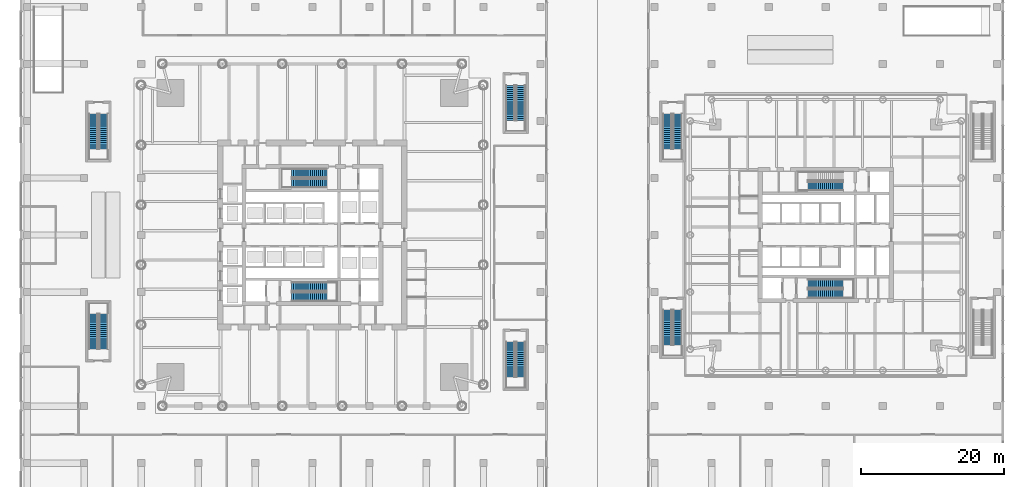
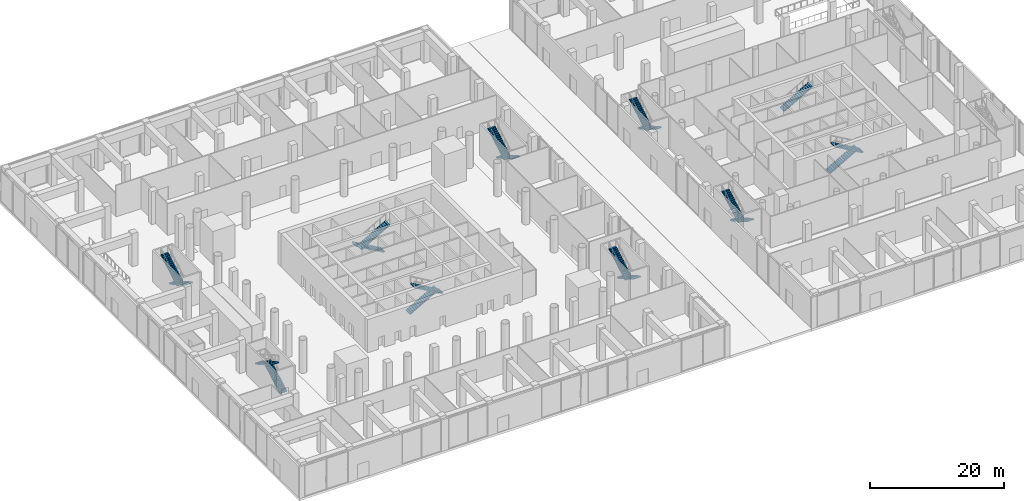
# One storey, part 34 of 39: 19 stair flights, 10 elements without a shape of their own.
"""IFC4 building model written with IfcOpenShell, lengths in metres."""

import ifcopenshell
import ifcopenshell.guid

model = None  # the IFC model being written
_history = None  # IfcOwnerHistory: only IFC2X3 demands one
_inside = {}  # id of a spatial element -> (the spatial element, [elements in it])
_under = {}  # id of a project, library or spatial element -> (it, [spatial elements below it])
_declared = {}  # id of a project -> (the project, [libraries it declares])
_typed = {}  # id of a type object -> (the type object, [elements of that type])
_made_of = {}  # id of a material, layer set ... -> (it, [elements and type objects made of it])


def new_model(schema):
    """Start an empty IFC model of exactly this schema.

    Asked for "IFC4X3", IfcOpenShell would pick the latest addendum, in which some entities
    have other attributes; the version numbers below select the first issue.
    IFC2X3 requires an IfcOwnerHistory on every rooted entity: one is made here for all.
    """
    global model, _history
    if schema == "IFC4X3":
        model = ifcopenshell.file(schema_version=(4, 3, 0, 0))
    else:
        model = ifcopenshell.file(schema=schema)
    _inside.clear()
    _under.clear()
    _declared.clear()
    _typed.clear()
    _made_of.clear()
    _history = None
    if model.schema == "IFC2X3":
        org = make("IfcOrganization", Name="unknown")
        user = make(
            "IfcPersonAndOrganization",
            ThePerson=make("IfcPerson", FamilyName="unknown"),
            TheOrganization=org,
        )
        app = make(
            "IfcApplication",
            ApplicationDeveloper=org,
            Version="unknown",
            ApplicationFullName="unknown",
            ApplicationIdentifier="unknown",
        )
        _history = make(
            "IfcOwnerHistory",
            OwningUser=user,
            OwningApplication=app,
            ChangeAction="ADDED",
            CreationDate=0,
        )
    return model


def make(cls, **values):
    """One entity of the class cls with the attributes given. An attribute that is None is left unset."""
    return model.create_entity(
        cls, **{name: value for name, value in values.items() if value is not None}
    )


def rooted(cls, **values):
    """An entity with a GlobalId (a new one), such as an element, a storey or a relation."""
    return make(cls, GlobalId=ifcopenshell.guid.new(), OwnerHistory=_history, **values)


def si_unit(unit_type, name, prefix=None):
    """IfcSIUnit, for example si_unit("LENGTHUNIT", "METRE", prefix="MILLI")."""
    return make("IfcSIUnit", UnitType=unit_type, Prefix=prefix, Name=name)


def assignment(units):
    """IfcUnitAssignment: the units of a project."""
    return None if units is None else make("IfcUnitAssignment", Units=units)


def point(xyz):
    """IfcCartesianPoint."""
    return None if xyz is None else make("IfcCartesianPoint", Coordinates=xyz)


def direction(xyz):
    """IfcDirection."""
    return None if xyz is None else make("IfcDirection", DirectionRatios=xyz)


def frame(location, z_axis=None, x_axis=None):
    """IfcAxis2Placement3D, a coordinate frame: its origin and axes. An axis left out is left unset."""
    return make(
        "IfcAxis2Placement3D",
        Location=point(location),
        Axis=direction(z_axis),
        RefDirection=direction(x_axis),
    )


def origin():
    """The frame at (0, 0, 0) with its axes left unset."""
    return frame((0.0, 0.0, 0.0))


def place(relative_to, where):
    """IfcLocalPlacement: puts the frame where relative to a parent placement (None: the world)."""
    return make(
        "IfcLocalPlacement", PlacementRelTo=relative_to, RelativePlacement=where
    )


def context(
    kind, dimensions, precision=None, world=None, true_north=None, identifier=None
):
    """IfcGeometricRepresentationContext, for example the 3D "Model" context."""
    return make(
        "IfcGeometricRepresentationContext",
        ContextIdentifier=identifier,
        ContextType=kind,
        CoordinateSpaceDimension=dimensions,
        Precision=precision,
        WorldCoordinateSystem=world,
        TrueNorth=true_north,
    )


def subcontext(parent, identifier, kind, view, scale=None):
    """IfcGeometricRepresentationSubContext, for example "Body" below "Model"."""
    return make(
        "IfcGeometricRepresentationSubContext",
        ContextIdentifier=identifier,
        ContextType=kind,
        ParentContext=parent,
        TargetScale=scale,
        TargetView=view,
    )


def project(units=None, contexts=None):
    """IfcProject with its units and contexts."""
    return rooted(
        "IfcProject",
        Name="project",
        RepresentationContexts=contexts,
        UnitsInContext=assignment(units),
    )


def spatial(cls, under=None, at=None, **own):
    """A site, building, storey or space (cls), placed at a placement, below another one or the project."""
    s = rooted(cls, ObjectPlacement=at, **own)
    if under is not None:
        _under.setdefault(under.id(), (under, []))[1].append(s)
    return s


def polyline(points):
    """IfcPolyline through the points."""
    return make("IfcPolyline", Points=[point(p) for p in points])


def outline(outer, holes=None, kind="AREA"):
    """IfcArbitraryClosedProfileDef: a profile drawn as a closed curve; with holes, ...WithVoids."""
    if holes is None:
        return make("IfcArbitraryClosedProfileDef", ProfileType=kind, OuterCurve=outer)
    return make(
        "IfcArbitraryProfileDefWithVoids",
        ProfileType=kind,
        OuterCurve=outer,
        InnerCurves=holes,
    )


def extrude(swept, where, along, depth):
    """IfcExtrudedAreaSolid: the profile swept, set in the frame where, extruded along a direction by depth."""
    return make(
        "IfcExtrudedAreaSolid",
        SweptArea=swept,
        Position=where,
        ExtrudedDirection=direction(along),
        Depth=depth,
    )


def shape(context_of_items, identifier, shape_type, items):
    """IfcShapeRepresentation: the items that make up one representation, for example the "Body"."""
    return make(
        "IfcShapeRepresentation",
        ContextOfItems=context_of_items,
        RepresentationIdentifier=identifier,
        RepresentationType=shape_type,
        Items=items,
    )


def material(Name=None, Category=None):
    """IfcMaterial."""
    return make("IfcMaterial", Name=Name, Category=Category)


def made_of(thing, what):
    """Note that an element or type object is made of a material, layer set ...; save() writes the relation."""
    if what is not None:
        _made_of.setdefault(what.id(), (what, []))[1].append(thing)
    return thing


def type_object(cls, material=None, **own):
    """A type object (cls), such as IfcWallType, which elements share."""
    return made_of(rooted(cls, **own), material)


def element(
    cls,
    number,
    at=None,
    inside=None,
    cuts=None,
    type_object=None,
    material=None,
    context=None,
    identifier="Body",
    shape_type=None,
    held_by="IfcProductDefinitionShape",
    body=None,
    shapes=None,
    **own,
):
    """One element of the class cls, such as IfcWall. Its Tag is "e" and its number.

    at: its placement. inside: the storey or other place that contains it. cuts: it is an
    opening in that element (IfcRelVoidsElement). A single representation is given by context,
    identifier, shape_type and body (its items); several are given by shapes. held_by: the class
    of the entity that holds the representations. save() writes the other relations.
    """
    e = rooted(cls, Tag="e%d" % number, ObjectPlacement=at, **own)
    if body is not None:
        shapes = [shape(context, identifier, shape_type, body)]
    if shapes is not None:
        e.Representation = make(held_by, Representations=shapes)
    if inside is not None:
        _inside.setdefault(inside.id(), (inside, []))[1].append(e)
    if cuts is not None:
        rooted(
            "IfcRelVoidsElement", RelatingBuildingElement=cuts, RelatedOpeningElement=e
        )
    if type_object is not None:
        _typed.setdefault(type_object.id(), (type_object, []))[1].append(e)
    return made_of(e, material)


def aggregate(whole, parts):
    """IfcRelAggregates: a whole, such as a stair, and the parts it consists of."""
    return rooted("IfcRelAggregates", RelatingObject=whole, RelatedObjects=parts)


def save(model, path):
    """Write the relations noted so far, then the file.

    IfcRelAggregates (storeys below a building ...), IfcRelContainedInSpatialStructure (elements
    in a storey), IfcRelDefinesByType, IfcRelAssociatesMaterial and IfcRelDeclares: one each for
    every whole, place, type object, material and project.
    """
    for whole, parts in _under.values():
        aggregate(whole, parts)
    for where, things in _inside.values():
        rooted(
            "IfcRelContainedInSpatialStructure",
            RelatedElements=things,
            RelatingStructure=where,
        )
    for kind, things in _typed.values():
        rooted("IfcRelDefinesByType", RelatedObjects=things, RelatingType=kind)
    for what, things in _made_of.values():
        rooted("IfcRelAssociatesMaterial", RelatedObjects=things, RelatingMaterial=what)
    for by, libraries in _declared.values():
        rooted("IfcRelDeclares", RelatingContext=by, RelatedDefinitions=libraries)
    model.write(path)


model = new_model("IFC4")

# Units and contexts
model_context = context("Model", 3, precision=1e-05, world=origin(), true_north=direction((0.0, 1.0)))
body_context = subcontext(model_context, "Body", "Model", "MODEL_VIEW")
ifc_project = project(units=[si_unit("LENGTHUNIT", "METRE"), si_unit("AREAUNIT", "SQUARE_METRE"), si_unit("VOLUMEUNIT", "CUBIC_METRE"), si_unit("PLANEANGLEUNIT", "RADIAN"), si_unit("MASSUNIT", "GRAM", prefix="KILO")], contexts=[model_context])

# Site, building, storey
site_placement = place(None, origin())
site = spatial("IfcSite", under=ifc_project, at=site_placement, CompositionType="ELEMENT")
building_placement = place(site_placement, origin())
building = spatial("IfcBuilding", under=site, at=building_placement, Name="Ostroluk Exchange", CompositionType="ELEMENT")
storey_placement = place(building_placement, origin())
storey = spatial("IfcBuildingStorey", under=building, at=storey_placement, Name="L00", CompositionType="ELEMENT", Elevation=0.0)

# Stair, stair flights
ifc_material_1 = material(Name="Concrete C30/37", Category="concrete")
stair_type = type_object("IfcStairType", Name="Exit stair half turn 6000", PredefinedType="HALF_TURN_STAIR", material=ifc_material_1)
stair_1_placement = place(storey_placement, origin())
stair_1 = element("IfcStair", 1, at=stair_1_placement, inside=storey, type_object=stair_type, Name="Stair T1-S1 L00", PredefinedType="HALF_TURN_STAIR")
ifc_material_2 = material(Name="Concrete C30/37", Category="concrete")
stair_flight_type = type_object("IfcStairFlightType", Name="Stair flight 18 risers 166.7 x 290", PredefinedType="STRAIGHT", material=ifc_material_2)
stair_flight_1_placement = place(storey_placement, frame((42.10009765625, 38.77490234375, 0.0), z_axis=(0.0, 0.0, 1.0), x_axis=(1.0, 0.0, 0.0)))
stair_flight_1 = element("IfcStairFlight", 2, at=stair_flight_1_placement, type_object=stair_flight_type, Name="T1-S1 flight 1", NumberOfRisers=18, NumberOfTreads=17, PredefinedType="STRAIGHT", RiserHeight=0.166666667, TreadLength=0.29, context=body_context, shape_type="SweptSolid", body=[
    extrude(outline(polyline([(0.0, 0.0), (0.0, 0.166748046875), (0.2900390625, 0.166748046875), (0.2900390625, 0.333251953125), (0.580078125, 0.333251953125), (0.580078125, 0.5), (0.8701171875, 0.5), (0.8701171875, 0.666748046875), (1.159912109375, 0.666748046875), (1.159912109375, 0.833251953125), (1.449951171875, 0.833251953125), (1.449951171875, 1.0), (1.739990234375, 1.0), (1.739990234375, 1.166748046875), (2.030029296875, 1.166748046875), (2.030029296875, 1.333251953125), (2.320068359375, 1.333251953125), (2.320068359375, 1.5), (2.610107421875, 1.5), (2.610107421875, 1.666748046875), (2.89990234375, 1.666748046875), (2.89990234375, 1.833251953125), (3.18994140625, 1.833251953125), (3.18994140625, 2.0), (3.47998046875, 2.0), (3.47998046875, 2.166748046875), (3.77001953125, 2.166748046875), (3.77001953125, 2.333251953125), (4.06005859375, 2.333251953125), (4.06005859375, 2.5), (4.35009765625, 2.5), (4.35009765625, 2.666748046875), (4.639892578125, 2.666748046875), (4.639892578125, 2.833251953125), (4.929931640625, 2.833251953125), (4.929931640625, 3.0), (4.929931640625, 2.660400390625), (0.30078125, 0.0), (0.0, 0.0)])), frame((0.0, 0.625, 0.0), z_axis=(0.0, -1.0, 0.0), x_axis=(1.0, 0.0, 0.0)), (0.0, 0.0, 1.0), 1.25),
])
stair_flight_2_placement = place(storey_placement, frame((47.030029296875, 37.324951171875, 3.0), z_axis=(0.0, 0.0, 1.0), x_axis=(-1.0, 0.0, 0.0)))
stair_flight_2 = element("IfcStairFlight", 3, at=stair_flight_2_placement, type_object=stair_flight_type, Name="T1-S1 flight 2", NumberOfRisers=18, NumberOfTreads=17, PredefinedType="STRAIGHT", RiserHeight=0.166666667, TreadLength=0.29, context=body_context, shape_type="SweptSolid", body=[
    extrude(outline(polyline([(0.0, 0.0), (0.0, 0.166748046875), (0.2900390625, 0.166748046875), (0.2900390625, 0.333251953125), (0.580078125, 0.333251953125), (0.580078125, 0.5), (0.8701171875, 0.5), (0.8701171875, 0.666748046875), (1.159912109375, 0.666748046875), (1.159912109375, 0.833251953125), (1.449951171875, 0.833251953125), (1.449951171875, 1.0), (1.739990234375, 1.0), (1.739990234375, 1.166748046875), (2.030029296875, 1.166748046875), (2.030029296875, 1.333251953125), (2.320068359375, 1.333251953125), (2.320068359375, 1.5), (2.610107421875, 1.5), (2.610107421875, 1.666748046875), (2.89990234375, 1.666748046875), (2.89990234375, 1.833251953125), (3.18994140625, 1.833251953125), (3.18994140625, 2.0), (3.47998046875, 2.0), (3.47998046875, 2.166748046875), (3.77001953125, 2.166748046875), (3.77001953125, 2.333251953125), (4.06005859375, 2.333251953125), (4.06005859375, 2.5), (4.35009765625, 2.5), (4.35009765625, 2.666748046875), (4.639892578125, 2.666748046875), (4.639892578125, 2.833251953125), (4.929931640625, 2.833251953125), (4.929931640625, 3.0), (4.929931640625, 2.660400390625), (0.30078125, 0.0), (0.0, 0.0)])), frame((0.0, 0.625, 0.0), z_axis=(0.0, -1.0, 0.0), x_axis=(1.0, 0.0, 0.0)), (0.0, 0.0, 1.0), 1.25),
])
aggregate(stair_1, [stair_flight_1, stair_flight_2])

stair_2_placement = place(storey_placement, origin())
stair_2 = element("IfcStair", 4, at=stair_2_placement, inside=storey, type_object=stair_type, Name="Stair T1-S2 L00", PredefinedType="HALF_TURN_STAIR")
stair_flight_3_placement = place(storey_placement, frame((47.030029296875, 54.675048828125, 0.0), z_axis=(0.0, 0.0, 1.0), x_axis=(-1.0, 0.0, 0.0)))
stair_flight_3 = element("IfcStairFlight", 5, at=stair_flight_3_placement, type_object=stair_flight_type, Name="T1-S2 flight 1", NumberOfRisers=18, NumberOfTreads=17, PredefinedType="STRAIGHT", RiserHeight=0.166666667, TreadLength=0.29, context=body_context, shape_type="SweptSolid", body=[
    extrude(outline(polyline([(0.0, 0.0), (0.0, 0.166748046875), (0.2900390625, 0.166748046875), (0.2900390625, 0.333251953125), (0.580078125, 0.333251953125), (0.580078125, 0.5), (0.8701171875, 0.5), (0.8701171875, 0.666748046875), (1.159912109375, 0.666748046875), (1.159912109375, 0.833251953125), (1.449951171875, 0.833251953125), (1.449951171875, 1.0), (1.739990234375, 1.0), (1.739990234375, 1.166748046875), (2.030029296875, 1.166748046875), (2.030029296875, 1.333251953125), (2.320068359375, 1.333251953125), (2.320068359375, 1.5), (2.610107421875, 1.5), (2.610107421875, 1.666748046875), (2.89990234375, 1.666748046875), (2.89990234375, 1.833251953125), (3.18994140625, 1.833251953125), (3.18994140625, 2.0), (3.47998046875, 2.0), (3.47998046875, 2.166748046875), (3.77001953125, 2.166748046875), (3.77001953125, 2.333251953125), (4.06005859375, 2.333251953125), (4.06005859375, 2.5), (4.35009765625, 2.5), (4.35009765625, 2.666748046875), (4.639892578125, 2.666748046875), (4.639892578125, 2.833251953125), (4.929931640625, 2.833251953125), (4.929931640625, 3.0), (4.929931640625, 2.660400390625), (0.30078125, 0.0), (0.0, 0.0)])), frame((0.0, 0.625, 0.0), z_axis=(0.0, -1.0, 0.0), x_axis=(1.0, 0.0, 0.0)), (0.0, 0.0, 1.0), 1.25),
])
stair_flight_4_placement = place(storey_placement, frame((42.10009765625, 53.22509765625, 3.0), z_axis=(0.0, 0.0, 1.0), x_axis=(1.0, 0.0, 0.0)))
stair_flight_4 = element("IfcStairFlight", 6, at=stair_flight_4_placement, type_object=stair_flight_type, Name="T1-S2 flight 2", NumberOfRisers=18, NumberOfTreads=17, PredefinedType="STRAIGHT", RiserHeight=0.166666667, TreadLength=0.29, context=body_context, shape_type="SweptSolid", body=[
    extrude(outline(polyline([(0.0, 0.0), (0.0, 0.166748046875), (0.2900390625, 0.166748046875), (0.2900390625, 0.333251953125), (0.580078125, 0.333251953125), (0.580078125, 0.5), (0.8701171875, 0.5), (0.8701171875, 0.666748046875), (1.159912109375, 0.666748046875), (1.159912109375, 0.833251953125), (1.449951171875, 0.833251953125), (1.449951171875, 1.0), (1.739990234375, 1.0), (1.739990234375, 1.166748046875), (2.030029296875, 1.166748046875), (2.030029296875, 1.333251953125), (2.320068359375, 1.333251953125), (2.320068359375, 1.5), (2.610107421875, 1.5), (2.610107421875, 1.666748046875), (2.89990234375, 1.666748046875), (2.89990234375, 1.833251953125), (3.18994140625, 1.833251953125), (3.18994140625, 2.0), (3.47998046875, 2.0), (3.47998046875, 2.166748046875), (3.77001953125, 2.166748046875), (3.77001953125, 2.333251953125), (4.06005859375, 2.333251953125), (4.06005859375, 2.5), (4.35009765625, 2.5), (4.35009765625, 2.666748046875), (4.639892578125, 2.666748046875), (4.639892578125, 2.833251953125), (4.929931640625, 2.833251953125), (4.929931640625, 3.0), (4.929931640625, 2.660400390625), (0.30078125, 0.0), (0.0, 0.0)])), frame((0.0, 0.625, 0.0), z_axis=(0.0, -1.0, 0.0), x_axis=(1.0, 0.0, 0.0)), (0.0, 0.0, 1.0), 1.25),
])
aggregate(stair_2, [stair_flight_3, stair_flight_4])

stair_3_placement = place(storey_placement, origin())
stair_3 = element("IfcStair", 7, at=stair_3_placement, inside=storey, type_object=stair_type, Name="Stair T2-S1 L00", PredefinedType="HALF_TURN_STAIR")
stair_flight_5_placement = place(storey_placement, frame((114.5, 39.175048828125, 0.0), z_axis=(0.0, 0.0, 1.0), x_axis=(1.0, 0.0, 0.0)))
stair_flight_5 = element("IfcStairFlight", 8, at=stair_flight_5_placement, type_object=stair_flight_type, Name="T2-S1 flight 1", NumberOfRisers=18, NumberOfTreads=17, PredefinedType="STRAIGHT", RiserHeight=0.166666667, TreadLength=0.29, context=body_context, shape_type="SweptSolid", body=[
    extrude(outline(polyline([(0.0, 0.0), (0.0, 0.166748046875), (0.2900390625, 0.166748046875), (0.2900390625, 0.333251953125), (0.580078125, 0.333251953125), (0.580078125, 0.5), (0.8701171875, 0.5), (0.8701171875, 0.666748046875), (1.159912109375, 0.666748046875), (1.159912109375, 0.833251953125), (1.449951171875, 0.833251953125), (1.449951171875, 1.0), (1.739990234375, 1.0), (1.739990234375, 1.166748046875), (2.030029296875, 1.166748046875), (2.030029296875, 1.333251953125), (2.320068359375, 1.333251953125), (2.320068359375, 1.5), (2.610107421875, 1.5), (2.610107421875, 1.666748046875), (2.89990234375, 1.666748046875), (2.89990234375, 1.833251953125), (3.18994140625, 1.833251953125), (3.18994140625, 2.0), (3.47998046875, 2.0), (3.47998046875, 2.166748046875), (3.77001953125, 2.166748046875), (3.77001953125, 2.333251953125), (4.06005859375, 2.333251953125), (4.06005859375, 2.5), (4.35009765625, 2.5), (4.35009765625, 2.666748046875), (4.639892578125, 2.666748046875), (4.639892578125, 2.833251953125), (4.929931640625, 2.833251953125), (4.929931640625, 3.0), (4.929931640625, 2.660400390625), (0.30078125, 0.0), (0.0, 0.0)])), frame((0.0, 0.625, 0.0), z_axis=(0.0, -1.0, 0.0), x_axis=(1.0, 0.0, 0.0)), (0.0, 0.0, 1.0), 1.25),
])
stair_flight_6_placement = place(storey_placement, frame((119.429931640625, 37.72509765625, 3.0), z_axis=(0.0, 0.0, 1.0), x_axis=(-1.0, 0.0, 0.0)))
stair_flight_6 = element("IfcStairFlight", 9, at=stair_flight_6_placement, type_object=stair_flight_type, Name="T2-S1 flight 2", NumberOfRisers=18, NumberOfTreads=17, PredefinedType="STRAIGHT", RiserHeight=0.166666667, TreadLength=0.29, context=body_context, shape_type="SweptSolid", body=[
    extrude(outline(polyline([(0.0, 0.0), (0.0, 0.166748046875), (0.2900390625, 0.166748046875), (0.2900390625, 0.333251953125), (0.580078125, 0.333251953125), (0.580078125, 0.5), (0.8701171875, 0.5), (0.8701171875, 0.666748046875), (1.159912109375, 0.666748046875), (1.159912109375, 0.833251953125), (1.449951171875, 0.833251953125), (1.449951171875, 1.0), (1.739990234375, 1.0), (1.739990234375, 1.166748046875), (2.030029296875, 1.166748046875), (2.030029296875, 1.333251953125), (2.320068359375, 1.333251953125), (2.320068359375, 1.5), (2.610107421875, 1.5), (2.610107421875, 1.666748046875), (2.89990234375, 1.666748046875), (2.89990234375, 1.833251953125), (3.18994140625, 1.833251953125), (3.18994140625, 2.0), (3.47998046875, 2.0), (3.47998046875, 2.166748046875), (3.77001953125, 2.166748046875), (3.77001953125, 2.333251953125), (4.06005859375, 2.333251953125), (4.06005859375, 2.5), (4.35009765625, 2.5), (4.35009765625, 2.666748046875), (4.639892578125, 2.666748046875), (4.639892578125, 2.833251953125), (4.929931640625, 2.833251953125), (4.929931640625, 3.0), (4.929931640625, 2.660400390625), (0.30078125, 0.0), (0.0, 0.0)])), frame((0.0, 0.625, 0.0), z_axis=(0.0, -1.0, 0.0), x_axis=(1.0, 0.0, 0.0)), (0.0, 0.0, 1.0), 1.25),
])
aggregate(stair_3, [stair_flight_5, stair_flight_6])

# Stair, stair flight
stair_4_placement = place(storey_placement, origin())
stair_4 = element("IfcStair", 10, at=stair_4_placement, inside=storey, type_object=stair_type, Name="Stair T2-S2 L00", PredefinedType="HALF_TURN_STAIR")
stair_flight_7_placement = place(storey_placement, frame((114.5, 52.824951171875, 3.0), z_axis=(0.0, 0.0, 1.0), x_axis=(1.0, 0.0, 0.0)))
stair_flight_7 = element("IfcStairFlight", 11, at=stair_flight_7_placement, type_object=stair_flight_type, Name="T2-S2 flight 2", NumberOfRisers=18, NumberOfTreads=17, PredefinedType="STRAIGHT", RiserHeight=0.166666667, TreadLength=0.29, context=body_context, shape_type="SweptSolid", body=[
    extrude(outline(polyline([(0.0, 0.0), (0.0, 0.166748046875), (0.2900390625, 0.166748046875), (0.2900390625, 0.333251953125), (0.580078125, 0.333251953125), (0.580078125, 0.5), (0.8701171875, 0.5), (0.8701171875, 0.666748046875), (1.159912109375, 0.666748046875), (1.159912109375, 0.833251953125), (1.449951171875, 0.833251953125), (1.449951171875, 1.0), (1.739990234375, 1.0), (1.739990234375, 1.166748046875), (2.030029296875, 1.166748046875), (2.030029296875, 1.333251953125), (2.320068359375, 1.333251953125), (2.320068359375, 1.5), (2.610107421875, 1.5), (2.610107421875, 1.666748046875), (2.89990234375, 1.666748046875), (2.89990234375, 1.833251953125), (3.18994140625, 1.833251953125), (3.18994140625, 2.0), (3.47998046875, 2.0), (3.47998046875, 2.166748046875), (3.77001953125, 2.166748046875), (3.77001953125, 2.333251953125), (4.06005859375, 2.333251953125), (4.06005859375, 2.5), (4.35009765625, 2.5), (4.35009765625, 2.666748046875), (4.639892578125, 2.666748046875), (4.639892578125, 2.833251953125), (4.929931640625, 2.833251953125), (4.929931640625, 3.0), (4.929931640625, 2.660400390625), (0.30078125, 0.0), (0.0, 0.0)])), frame((0.0, 0.625, 0.0), z_axis=(0.0, -1.0, 0.0), x_axis=(1.0, 0.0, 0.0)), (0.0, 0.0, 1.0), 1.25),
])
aggregate(stair_4, [stair_flight_7])

# Stair, stair flights
stair_5_placement = place(storey_placement, origin())
stair_5 = element("IfcStair", 12, at=stair_5_placement, inside=storey, type_object=stair_type, Name="Stair PS1 L00", PredefinedType="HALF_TURN_STAIR")
stair_flight_8_placement = place(storey_placement, frame((15.72509765625, 30.0, 0.0), z_axis=(0.0, 0.0, 1.0), x_axis=(0.0, 1.0, 0.0)))
stair_flight_8 = element("IfcStairFlight", 13, at=stair_flight_8_placement, type_object=stair_flight_type, Name="PS1 flight 1", NumberOfRisers=18, NumberOfTreads=17, PredefinedType="STRAIGHT", RiserHeight=0.166666667, TreadLength=0.29, context=body_context, shape_type="SweptSolid", body=[
    extrude(outline(polyline([(0.0, 0.0), (0.0, 0.166748046875), (0.2900390625, 0.166748046875), (0.2900390625, 0.333251953125), (0.580078125, 0.333251953125), (0.580078125, 0.5), (0.8701171875, 0.5), (0.8701171875, 0.666748046875), (1.159912109375, 0.666748046875), (1.159912109375, 0.833251953125), (1.449951171875, 0.833251953125), (1.449951171875, 1.0), (1.739990234375, 1.0), (1.739990234375, 1.166748046875), (2.030029296875, 1.166748046875), (2.030029296875, 1.333251953125), (2.320068359375, 1.333251953125), (2.320068359375, 1.5), (2.610107421875, 1.5), (2.610107421875, 1.666748046875), (2.89990234375, 1.666748046875), (2.89990234375, 1.833251953125), (3.18994140625, 1.833251953125), (3.18994140625, 2.0), (3.47998046875, 2.0), (3.47998046875, 2.166748046875), (3.77001953125, 2.166748046875), (3.77001953125, 2.333251953125), (4.06005859375, 2.333251953125), (4.06005859375, 2.5), (4.35009765625, 2.5), (4.35009765625, 2.666748046875), (4.639892578125, 2.666748046875), (4.639892578125, 2.833251953125), (4.929931640625, 2.833251953125), (4.929931640625, 3.0), (4.929931640625, 2.660400390625), (0.30078125, 0.0), (0.0, 0.0)])), frame((0.0, 0.625, 0.0), z_axis=(0.0, -1.0, 0.0), x_axis=(1.0, 0.0, 0.0)), (0.0, 0.0, 1.0), 1.25),
])
stair_flight_9_placement = place(storey_placement, frame((14.27490234375, 34.929931640625, 3.0), z_axis=(0.0, 0.0, 1.0), x_axis=(0.0, -1.0, 0.0)))
stair_flight_9 = element("IfcStairFlight", 14, at=stair_flight_9_placement, type_object=stair_flight_type, Name="PS1 flight 2", NumberOfRisers=18, NumberOfTreads=17, PredefinedType="STRAIGHT", RiserHeight=0.166666667, TreadLength=0.29, context=body_context, shape_type="SweptSolid", body=[
    extrude(outline(polyline([(0.0, 0.0), (0.0, 0.166748046875), (0.2900390625, 0.166748046875), (0.2900390625, 0.333251953125), (0.580078125, 0.333251953125), (0.580078125, 0.5), (0.8701171875, 0.5), (0.8701171875, 0.666748046875), (1.159912109375, 0.666748046875), (1.159912109375, 0.833251953125), (1.449951171875, 0.833251953125), (1.449951171875, 1.0), (1.739990234375, 1.0), (1.739990234375, 1.166748046875), (2.030029296875, 1.166748046875), (2.030029296875, 1.333251953125), (2.320068359375, 1.333251953125), (2.320068359375, 1.5), (2.610107421875, 1.5), (2.610107421875, 1.666748046875), (2.89990234375, 1.666748046875), (2.89990234375, 1.833251953125), (3.18994140625, 1.833251953125), (3.18994140625, 2.0), (3.47998046875, 2.0), (3.47998046875, 2.166748046875), (3.77001953125, 2.166748046875), (3.77001953125, 2.333251953125), (4.06005859375, 2.333251953125), (4.06005859375, 2.5), (4.35009765625, 2.5), (4.35009765625, 2.666748046875), (4.639892578125, 2.666748046875), (4.639892578125, 2.833251953125), (4.929931640625, 2.833251953125), (4.929931640625, 3.0), (4.929931640625, 2.660400390625), (0.30078125, 0.0), (0.0, 0.0)])), frame((0.0, 0.625, 0.0), z_axis=(0.0, -1.0, 0.0), x_axis=(1.0, 0.0, 0.0)), (0.0, 0.0, 1.0), 1.25),
])
aggregate(stair_5, [stair_flight_8, stair_flight_9])

stair_6_placement = place(storey_placement, origin())
stair_6 = element("IfcStair", 15, at=stair_6_placement, inside=storey, type_object=stair_type, Name="Stair PS2 L00", PredefinedType="HALF_TURN_STAIR")
stair_flight_10_placement = place(storey_placement, frame((15.72509765625, 63.0, 0.0), z_axis=(0.0, 0.0, 1.0), x_axis=(0.0, -1.0, 0.0)))
stair_flight_10 = element("IfcStairFlight", 16, at=stair_flight_10_placement, type_object=stair_flight_type, Name="PS2 flight 1", NumberOfRisers=18, NumberOfTreads=17, PredefinedType="STRAIGHT", RiserHeight=0.166666667, TreadLength=0.29, context=body_context, shape_type="SweptSolid", body=[
    extrude(outline(polyline([(0.0, 0.0), (0.0, 0.166748046875), (0.2900390625, 0.166748046875), (0.2900390625, 0.333251953125), (0.580078125, 0.333251953125), (0.580078125, 0.5), (0.8701171875, 0.5), (0.8701171875, 0.666748046875), (1.159912109375, 0.666748046875), (1.159912109375, 0.833251953125), (1.449951171875, 0.833251953125), (1.449951171875, 1.0), (1.739990234375, 1.0), (1.739990234375, 1.166748046875), (2.030029296875, 1.166748046875), (2.030029296875, 1.333251953125), (2.320068359375, 1.333251953125), (2.320068359375, 1.5), (2.610107421875, 1.5), (2.610107421875, 1.666748046875), (2.89990234375, 1.666748046875), (2.89990234375, 1.833251953125), (3.18994140625, 1.833251953125), (3.18994140625, 2.0), (3.47998046875, 2.0), (3.47998046875, 2.166748046875), (3.77001953125, 2.166748046875), (3.77001953125, 2.333251953125), (4.06005859375, 2.333251953125), (4.06005859375, 2.5), (4.35009765625, 2.5), (4.35009765625, 2.666748046875), (4.639892578125, 2.666748046875), (4.639892578125, 2.833251953125), (4.929931640625, 2.833251953125), (4.929931640625, 3.0), (4.929931640625, 2.660400390625), (0.30078125, 0.0), (0.0, 0.0)])), frame((0.0, 0.625, 0.0), z_axis=(0.0, -1.0, 0.0), x_axis=(1.0, 0.0, 0.0)), (0.0, 0.0, 1.0), 1.25),
])
stair_flight_11_placement = place(storey_placement, frame((14.27490234375, 58.070068359375, 3.0), z_axis=(0.0, 0.0, 1.0), x_axis=(0.0, 1.0, 0.0)))
stair_flight_11 = element("IfcStairFlight", 17, at=stair_flight_11_placement, type_object=stair_flight_type, Name="PS2 flight 2", NumberOfRisers=18, NumberOfTreads=17, PredefinedType="STRAIGHT", RiserHeight=0.166666667, TreadLength=0.29, context=body_context, shape_type="SweptSolid", body=[
    extrude(outline(polyline([(0.0, 0.0), (0.0, 0.166748046875), (0.2900390625, 0.166748046875), (0.2900390625, 0.333251953125), (0.580078125, 0.333251953125), (0.580078125, 0.5), (0.8701171875, 0.5), (0.8701171875, 0.666748046875), (1.159912109375, 0.666748046875), (1.159912109375, 0.833251953125), (1.449951171875, 0.833251953125), (1.449951171875, 1.0), (1.739990234375, 1.0), (1.739990234375, 1.166748046875), (2.030029296875, 1.166748046875), (2.030029296875, 1.333251953125), (2.320068359375, 1.333251953125), (2.320068359375, 1.5), (2.610107421875, 1.5), (2.610107421875, 1.666748046875), (2.89990234375, 1.666748046875), (2.89990234375, 1.833251953125), (3.18994140625, 1.833251953125), (3.18994140625, 2.0), (3.47998046875, 2.0), (3.47998046875, 2.166748046875), (3.77001953125, 2.166748046875), (3.77001953125, 2.333251953125), (4.06005859375, 2.333251953125), (4.06005859375, 2.5), (4.35009765625, 2.5), (4.35009765625, 2.666748046875), (4.639892578125, 2.666748046875), (4.639892578125, 2.833251953125), (4.929931640625, 2.833251953125), (4.929931640625, 3.0), (4.929931640625, 2.660400390625), (0.30078125, 0.0), (0.0, 0.0)])), frame((0.0, 0.625, 0.0), z_axis=(0.0, -1.0, 0.0), x_axis=(1.0, 0.0, 0.0)), (0.0, 0.0, 1.0), 1.25),
])
aggregate(stair_6, [stair_flight_10, stair_flight_11])

stair_7_placement = place(storey_placement, origin())
stair_7 = element("IfcStair", 18, at=stair_7_placement, inside=storey, type_object=stair_type, Name="Stair PS3 L00", PredefinedType="HALF_TURN_STAIR")
stair_flight_12_placement = place(storey_placement, frame((74.22509765625, 31.0, 0.0), z_axis=(0.0, 0.0, 1.0), x_axis=(0.0, -1.0, 0.0)))
stair_flight_12 = element("IfcStairFlight", 19, at=stair_flight_12_placement, type_object=stair_flight_type, Name="PS3 flight 1", NumberOfRisers=18, NumberOfTreads=17, PredefinedType="STRAIGHT", RiserHeight=0.166666667, TreadLength=0.29, context=body_context, shape_type="SweptSolid", body=[
    extrude(outline(polyline([(0.0, 0.0), (0.0, 0.166748046875), (0.2900390625, 0.166748046875), (0.2900390625, 0.333251953125), (0.580078125, 0.333251953125), (0.580078125, 0.5), (0.8701171875, 0.5), (0.8701171875, 0.666748046875), (1.159912109375, 0.666748046875), (1.159912109375, 0.833251953125), (1.449951171875, 0.833251953125), (1.449951171875, 1.0), (1.739990234375, 1.0), (1.739990234375, 1.166748046875), (2.030029296875, 1.166748046875), (2.030029296875, 1.333251953125), (2.320068359375, 1.333251953125), (2.320068359375, 1.5), (2.610107421875, 1.5), (2.610107421875, 1.666748046875), (2.89990234375, 1.666748046875), (2.89990234375, 1.833251953125), (3.18994140625, 1.833251953125), (3.18994140625, 2.0), (3.47998046875, 2.0), (3.47998046875, 2.166748046875), (3.77001953125, 2.166748046875), (3.77001953125, 2.333251953125), (4.06005859375, 2.333251953125), (4.06005859375, 2.5), (4.35009765625, 2.5), (4.35009765625, 2.666748046875), (4.639892578125, 2.666748046875), (4.639892578125, 2.833251953125), (4.929931640625, 2.833251953125), (4.929931640625, 3.0), (4.929931640625, 2.660400390625), (0.30078125, 0.0), (0.0, 0.0)])), frame((0.0, 0.625, 0.0), z_axis=(0.0, -1.0, 0.0), x_axis=(1.0, 0.0, 0.0)), (0.0, 0.0, 1.0), 1.25),
])
stair_flight_13_placement = place(storey_placement, frame((72.77490234375, 26.070068359375, 3.0), z_axis=(0.0, 0.0, 1.0), x_axis=(0.0, 1.0, 0.0)))
stair_flight_13 = element("IfcStairFlight", 20, at=stair_flight_13_placement, type_object=stair_flight_type, Name="PS3 flight 2", NumberOfRisers=18, NumberOfTreads=17, PredefinedType="STRAIGHT", RiserHeight=0.166666667, TreadLength=0.29, context=body_context, shape_type="SweptSolid", body=[
    extrude(outline(polyline([(0.0, 0.0), (0.0, 0.166748046875), (0.2900390625, 0.166748046875), (0.2900390625, 0.333251953125), (0.580078125, 0.333251953125), (0.580078125, 0.5), (0.8701171875, 0.5), (0.8701171875, 0.666748046875), (1.159912109375, 0.666748046875), (1.159912109375, 0.833251953125), (1.449951171875, 0.833251953125), (1.449951171875, 1.0), (1.739990234375, 1.0), (1.739990234375, 1.166748046875), (2.030029296875, 1.166748046875), (2.030029296875, 1.333251953125), (2.320068359375, 1.333251953125), (2.320068359375, 1.5), (2.610107421875, 1.5), (2.610107421875, 1.666748046875), (2.89990234375, 1.666748046875), (2.89990234375, 1.833251953125), (3.18994140625, 1.833251953125), (3.18994140625, 2.0), (3.47998046875, 2.0), (3.47998046875, 2.166748046875), (3.77001953125, 2.166748046875), (3.77001953125, 2.333251953125), (4.06005859375, 2.333251953125), (4.06005859375, 2.5), (4.35009765625, 2.5), (4.35009765625, 2.666748046875), (4.639892578125, 2.666748046875), (4.639892578125, 2.833251953125), (4.929931640625, 2.833251953125), (4.929931640625, 3.0), (4.929931640625, 2.660400390625), (0.30078125, 0.0), (0.0, 0.0)])), frame((0.0, 0.625, 0.0), z_axis=(0.0, -1.0, 0.0), x_axis=(1.0, 0.0, 0.0)), (0.0, 0.0, 1.0), 1.25),
])
aggregate(stair_7, [stair_flight_12, stair_flight_13])

stair_8_placement = place(storey_placement, origin())
stair_8 = element("IfcStair", 21, at=stair_8_placement, inside=storey, type_object=stair_type, Name="Stair PS4 L00", PredefinedType="HALF_TURN_STAIR")
stair_flight_14_placement = place(storey_placement, frame((74.22509765625, 67.0, 0.0), z_axis=(0.0, 0.0, 1.0), x_axis=(0.0, -1.0, 0.0)))
stair_flight_14 = element("IfcStairFlight", 22, at=stair_flight_14_placement, type_object=stair_flight_type, Name="PS4 flight 1", NumberOfRisers=18, NumberOfTreads=17, PredefinedType="STRAIGHT", RiserHeight=0.166666667, TreadLength=0.29, context=body_context, shape_type="SweptSolid", body=[
    extrude(outline(polyline([(0.0, 0.0), (0.0, 0.166748046875), (0.2900390625, 0.166748046875), (0.2900390625, 0.333251953125), (0.580078125, 0.333251953125), (0.580078125, 0.5), (0.8701171875, 0.5), (0.8701171875, 0.666748046875), (1.159912109375, 0.666748046875), (1.159912109375, 0.833251953125), (1.449951171875, 0.833251953125), (1.449951171875, 1.0), (1.739990234375, 1.0), (1.739990234375, 1.166748046875), (2.030029296875, 1.166748046875), (2.030029296875, 1.333251953125), (2.320068359375, 1.333251953125), (2.320068359375, 1.5), (2.610107421875, 1.5), (2.610107421875, 1.666748046875), (2.89990234375, 1.666748046875), (2.89990234375, 1.833251953125), (3.18994140625, 1.833251953125), (3.18994140625, 2.0), (3.47998046875, 2.0), (3.47998046875, 2.166748046875), (3.77001953125, 2.166748046875), (3.77001953125, 2.333251953125), (4.06005859375, 2.333251953125), (4.06005859375, 2.5), (4.35009765625, 2.5), (4.35009765625, 2.666748046875), (4.639892578125, 2.666748046875), (4.639892578125, 2.833251953125), (4.929931640625, 2.833251953125), (4.929931640625, 3.0), (4.929931640625, 2.660400390625), (0.30078125, 0.0), (0.0, 0.0)])), frame((0.0, 0.625, 0.0), z_axis=(0.0, -1.0, 0.0), x_axis=(1.0, 0.0, 0.0)), (0.0, 0.0, 1.0), 1.25),
])
stair_flight_15_placement = place(storey_placement, frame((72.77490234375, 62.070068359375, 3.0), z_axis=(0.0, 0.0, 1.0), x_axis=(0.0, 1.0, 0.0)))
stair_flight_15 = element("IfcStairFlight", 23, at=stair_flight_15_placement, type_object=stair_flight_type, Name="PS4 flight 2", NumberOfRisers=18, NumberOfTreads=17, PredefinedType="STRAIGHT", RiserHeight=0.166666667, TreadLength=0.29, context=body_context, shape_type="SweptSolid", body=[
    extrude(outline(polyline([(0.0, 0.0), (0.0, 0.166748046875), (0.2900390625, 0.166748046875), (0.2900390625, 0.333251953125), (0.580078125, 0.333251953125), (0.580078125, 0.5), (0.8701171875, 0.5), (0.8701171875, 0.666748046875), (1.159912109375, 0.666748046875), (1.159912109375, 0.833251953125), (1.449951171875, 0.833251953125), (1.449951171875, 1.0), (1.739990234375, 1.0), (1.739990234375, 1.166748046875), (2.030029296875, 1.166748046875), (2.030029296875, 1.333251953125), (2.320068359375, 1.333251953125), (2.320068359375, 1.5), (2.610107421875, 1.5), (2.610107421875, 1.666748046875), (2.89990234375, 1.666748046875), (2.89990234375, 1.833251953125), (3.18994140625, 1.833251953125), (3.18994140625, 2.0), (3.47998046875, 2.0), (3.47998046875, 2.166748046875), (3.77001953125, 2.166748046875), (3.77001953125, 2.333251953125), (4.06005859375, 2.333251953125), (4.06005859375, 2.5), (4.35009765625, 2.5), (4.35009765625, 2.666748046875), (4.639892578125, 2.666748046875), (4.639892578125, 2.833251953125), (4.929931640625, 2.833251953125), (4.929931640625, 3.0), (4.929931640625, 2.660400390625), (0.30078125, 0.0), (0.0, 0.0)])), frame((0.0, 0.625, 0.0), z_axis=(0.0, -1.0, 0.0), x_axis=(1.0, 0.0, 0.0)), (0.0, 0.0, 1.0), 1.25),
])
aggregate(stair_8, [stair_flight_14, stair_flight_15])

stair_9_placement = place(storey_placement, origin())
stair_9 = element("IfcStair", 24, at=stair_9_placement, inside=storey, type_object=stair_type, Name="Stair PS5 L00", PredefinedType="HALF_TURN_STAIR")
stair_flight_16_placement = place(storey_placement, frame((96.22509765625, 35.5, 0.0), z_axis=(0.0, 0.0, 1.0), x_axis=(0.0, -1.0, 0.0)))
stair_flight_16 = element("IfcStairFlight", 25, at=stair_flight_16_placement, type_object=stair_flight_type, Name="PS5 flight 1", NumberOfRisers=18, NumberOfTreads=17, PredefinedType="STRAIGHT", RiserHeight=0.166666667, TreadLength=0.29, context=body_context, shape_type="SweptSolid", body=[
    extrude(outline(polyline([(0.0, 0.0), (0.0, 0.166748046875), (0.2900390625, 0.166748046875), (0.2900390625, 0.333251953125), (0.580078125, 0.333251953125), (0.580078125, 0.5), (0.8701171875, 0.5), (0.8701171875, 0.666748046875), (1.159912109375, 0.666748046875), (1.159912109375, 0.833251953125), (1.449951171875, 0.833251953125), (1.449951171875, 1.0), (1.739990234375, 1.0), (1.739990234375, 1.166748046875), (2.030029296875, 1.166748046875), (2.030029296875, 1.333251953125), (2.320068359375, 1.333251953125), (2.320068359375, 1.5), (2.610107421875, 1.5), (2.610107421875, 1.666748046875), (2.89990234375, 1.666748046875), (2.89990234375, 1.833251953125), (3.18994140625, 1.833251953125), (3.18994140625, 2.0), (3.47998046875, 2.0), (3.47998046875, 2.166748046875), (3.77001953125, 2.166748046875), (3.77001953125, 2.333251953125), (4.06005859375, 2.333251953125), (4.06005859375, 2.5), (4.35009765625, 2.5), (4.35009765625, 2.666748046875), (4.639892578125, 2.666748046875), (4.639892578125, 2.833251953125), (4.929931640625, 2.833251953125), (4.929931640625, 3.0), (4.929931640625, 2.660400390625), (0.30078125, 0.0), (0.0, 0.0)])), frame((0.0, 0.625, 0.0), z_axis=(0.0, -1.0, 0.0), x_axis=(1.0, 0.0, 0.0)), (0.0, 0.0, 1.0), 1.25),
])
stair_flight_17_placement = place(storey_placement, frame((94.77490234375, 30.570068359375, 3.0), z_axis=(0.0, 0.0, 1.0), x_axis=(0.0, 1.0, 0.0)))
stair_flight_17 = element("IfcStairFlight", 26, at=stair_flight_17_placement, type_object=stair_flight_type, Name="PS5 flight 2", NumberOfRisers=18, NumberOfTreads=17, PredefinedType="STRAIGHT", RiserHeight=0.166666667, TreadLength=0.29, context=body_context, shape_type="SweptSolid", body=[
    extrude(outline(polyline([(0.0, 0.0), (0.0, 0.166748046875), (0.2900390625, 0.166748046875), (0.2900390625, 0.333251953125), (0.580078125, 0.333251953125), (0.580078125, 0.5), (0.8701171875, 0.5), (0.8701171875, 0.666748046875), (1.159912109375, 0.666748046875), (1.159912109375, 0.833251953125), (1.449951171875, 0.833251953125), (1.449951171875, 1.0), (1.739990234375, 1.0), (1.739990234375, 1.166748046875), (2.030029296875, 1.166748046875), (2.030029296875, 1.333251953125), (2.320068359375, 1.333251953125), (2.320068359375, 1.5), (2.610107421875, 1.5), (2.610107421875, 1.666748046875), (2.89990234375, 1.666748046875), (2.89990234375, 1.833251953125), (3.18994140625, 1.833251953125), (3.18994140625, 2.0), (3.47998046875, 2.0), (3.47998046875, 2.166748046875), (3.77001953125, 2.166748046875), (3.77001953125, 2.333251953125), (4.06005859375, 2.333251953125), (4.06005859375, 2.5), (4.35009765625, 2.5), (4.35009765625, 2.666748046875), (4.639892578125, 2.666748046875), (4.639892578125, 2.833251953125), (4.929931640625, 2.833251953125), (4.929931640625, 3.0), (4.929931640625, 2.660400390625), (0.30078125, 0.0), (0.0, 0.0)])), frame((0.0, 0.625, 0.0), z_axis=(0.0, -1.0, 0.0), x_axis=(1.0, 0.0, 0.0)), (0.0, 0.0, 1.0), 1.25),
])
aggregate(stair_9, [stair_flight_16, stair_flight_17])

stair_10_placement = place(storey_placement, origin())
stair_10 = element("IfcStair", 27, at=stair_10_placement, inside=storey, type_object=stair_type, Name="Stair PS6 L00", PredefinedType="HALF_TURN_STAIR")
stair_flight_18_placement = place(storey_placement, frame((96.22509765625, 63.0, 0.0), z_axis=(0.0, 0.0, 1.0), x_axis=(0.0, -1.0, 0.0)))
stair_flight_18 = element("IfcStairFlight", 28, at=stair_flight_18_placement, type_object=stair_flight_type, Name="PS6 flight 1", NumberOfRisers=18, NumberOfTreads=17, PredefinedType="STRAIGHT", RiserHeight=0.166666667, TreadLength=0.29, context=body_context, shape_type="SweptSolid", body=[
    extrude(outline(polyline([(0.0, 0.0), (0.0, 0.166748046875), (0.2900390625, 0.166748046875), (0.2900390625, 0.333251953125), (0.580078125, 0.333251953125), (0.580078125, 0.5), (0.8701171875, 0.5), (0.8701171875, 0.666748046875), (1.159912109375, 0.666748046875), (1.159912109375, 0.833251953125), (1.449951171875, 0.833251953125), (1.449951171875, 1.0), (1.739990234375, 1.0), (1.739990234375, 1.166748046875), (2.030029296875, 1.166748046875), (2.030029296875, 1.333251953125), (2.320068359375, 1.333251953125), (2.320068359375, 1.5), (2.610107421875, 1.5), (2.610107421875, 1.666748046875), (2.89990234375, 1.666748046875), (2.89990234375, 1.833251953125), (3.18994140625, 1.833251953125), (3.18994140625, 2.0), (3.47998046875, 2.0), (3.47998046875, 2.166748046875), (3.77001953125, 2.166748046875), (3.77001953125, 2.333251953125), (4.06005859375, 2.333251953125), (4.06005859375, 2.5), (4.35009765625, 2.5), (4.35009765625, 2.666748046875), (4.639892578125, 2.666748046875), (4.639892578125, 2.833251953125), (4.929931640625, 2.833251953125), (4.929931640625, 3.0), (4.929931640625, 2.660400390625), (0.30078125, 0.0), (0.0, 0.0)])), frame((0.0, 0.625, 0.0), z_axis=(0.0, -1.0, 0.0), x_axis=(1.0, 0.0, 0.0)), (0.0, 0.0, 1.0), 1.25),
])
stair_flight_19_placement = place(storey_placement, frame((94.77490234375, 58.070068359375, 3.0), z_axis=(0.0, 0.0, 1.0), x_axis=(0.0, 1.0, 0.0)))
stair_flight_19 = element("IfcStairFlight", 29, at=stair_flight_19_placement, type_object=stair_flight_type, Name="PS6 flight 2", NumberOfRisers=18, NumberOfTreads=17, PredefinedType="STRAIGHT", RiserHeight=0.166666667, TreadLength=0.29, context=body_context, shape_type="SweptSolid", body=[
    extrude(outline(polyline([(0.0, 0.0), (0.0, 0.166748046875), (0.2900390625, 0.166748046875), (0.2900390625, 0.333251953125), (0.580078125, 0.333251953125), (0.580078125, 0.5), (0.8701171875, 0.5), (0.8701171875, 0.666748046875), (1.159912109375, 0.666748046875), (1.159912109375, 0.833251953125), (1.449951171875, 0.833251953125), (1.449951171875, 1.0), (1.739990234375, 1.0), (1.739990234375, 1.166748046875), (2.030029296875, 1.166748046875), (2.030029296875, 1.333251953125), (2.320068359375, 1.333251953125), (2.320068359375, 1.5), (2.610107421875, 1.5), (2.610107421875, 1.666748046875), (2.89990234375, 1.666748046875), (2.89990234375, 1.833251953125), (3.18994140625, 1.833251953125), (3.18994140625, 2.0), (3.47998046875, 2.0), (3.47998046875, 2.166748046875), (3.77001953125, 2.166748046875), (3.77001953125, 2.333251953125), (4.06005859375, 2.333251953125), (4.06005859375, 2.5), (4.35009765625, 2.5), (4.35009765625, 2.666748046875), (4.639892578125, 2.666748046875), (4.639892578125, 2.833251953125), (4.929931640625, 2.833251953125), (4.929931640625, 3.0), (4.929931640625, 2.660400390625), (0.30078125, 0.0), (0.0, 0.0)])), frame((0.0, 0.625, 0.0), z_axis=(0.0, -1.0, 0.0), x_axis=(1.0, 0.0, 0.0)), (0.0, 0.0, 1.0), 1.25),
])
aggregate(stair_10, [stair_flight_18, stair_flight_19])

save(model, "model.ifc")
